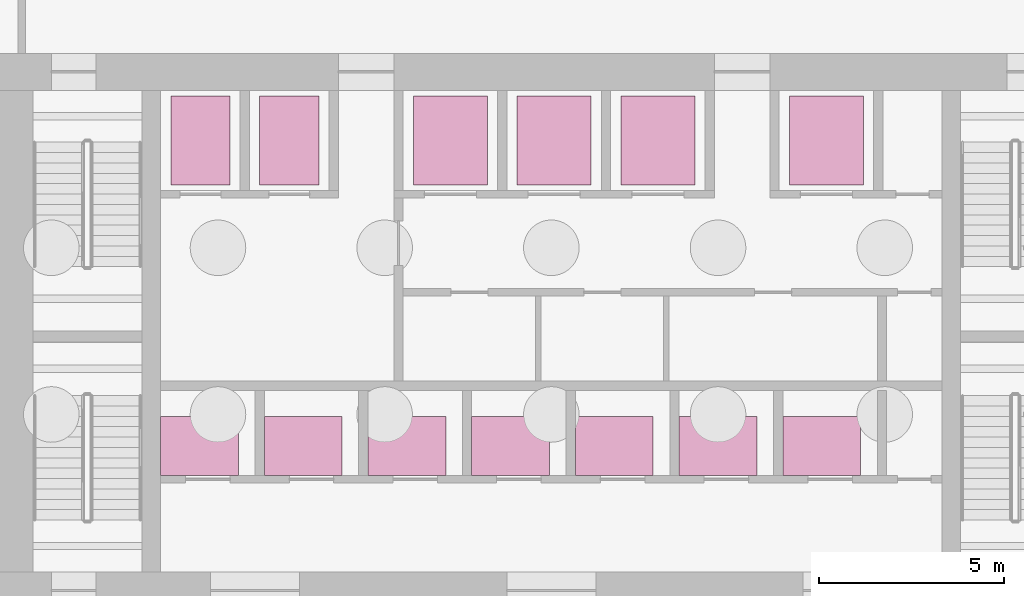
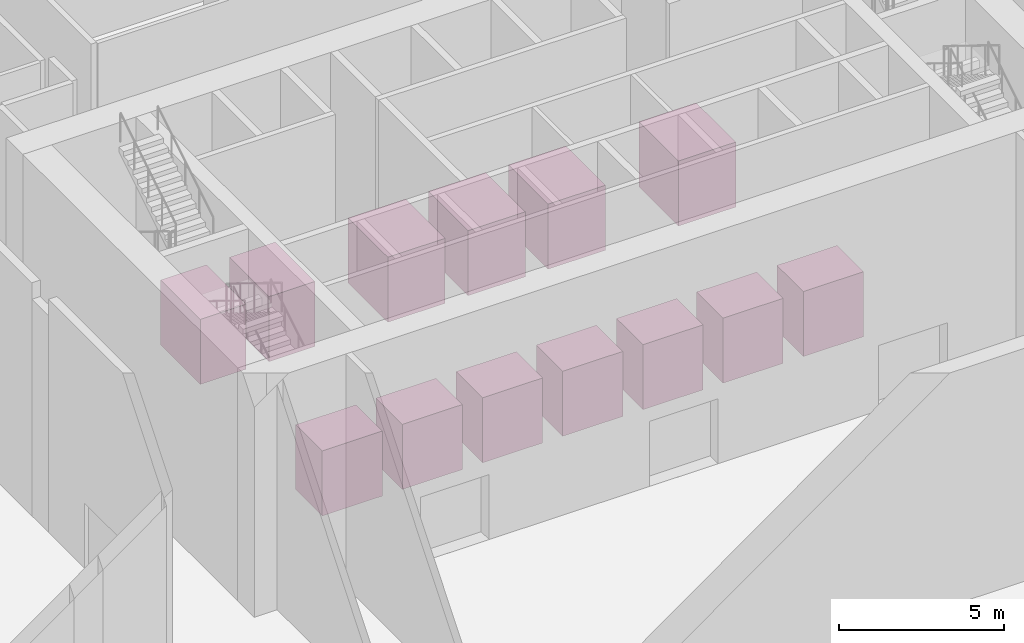
# One storey, part 31 of 32: 13 transport elements.
"""IFC4 building model written with IfcOpenShell, lengths in metres."""

from ifc_helpers import new_model, si_unit, direction, frame, origin, origin_2d, place, context, subcontext, project, spatial, rectangle, extrude, material, type_object, element, save


model = new_model("IFC4")

# Units and contexts
model_context = context("Model", 3, precision=1e-05, world=origin(), true_north=direction((0.0, 1.0)))
body_context = subcontext(model_context, "Body", "Model", "MODEL_VIEW")
ifc_project = project(units=[si_unit("LENGTHUNIT", "METRE"), si_unit("AREAUNIT", "SQUARE_METRE"), si_unit("VOLUMEUNIT", "CUBIC_METRE"), si_unit("PLANEANGLEUNIT", "RADIAN"), si_unit("MASSUNIT", "GRAM", prefix="KILO")], contexts=[model_context])

# Site, building, storey
site_placement = place(None, origin())
site = spatial("IfcSite", under=ifc_project, at=site_placement, CompositionType="ELEMENT")
building_placement = place(site_placement, origin())
building = spatial("IfcBuilding", under=site, at=building_placement, Name="Isthmus Gate Tower", CompositionType="ELEMENT")
storey_placement = place(building_placement, origin())
storey = spatial("IfcBuildingStorey", under=building, at=storey_placement, Name="L00", CompositionType="ELEMENT", Elevation=0.0)

# Transport elements
ifc_material_1 = material(Name="Stainless steel and laminated glass car", Category="steel")
transport_element_type_1 = type_object("IfcTransportElementType", Name="LIFT CAR 1600 X 2400 1800 KG", PredefinedType="ELEVATOR", material=ifc_material_1)
for number, where, z_axis, x_axis, name in (
    (1, (-9.47509765625, 12.64990234375, 0.0), (0.0, 0.0, 1.0), (1.0, 0.0, 0.0), "Lift LF1"),
    (2, (-7.074951171875, 12.64990234375, 0.0), (0.0, 0.0, 1.0), (1.0, 0.0, 0.0), "Lift LF2"),
):
    element("IfcTransportElement", number, at=place(storey_placement, frame(where, z_axis=z_axis, x_axis=x_axis)), inside=storey, type_object=transport_element_type_1, Name=name, PredefinedType="ELEVATOR", context=body_context, shape_type="SweptSolid", body=[
        extrude(rectangle(XDim=1.60009765625, YDim=2.39990234375, at=origin_2d()), origin(), (0.0, 0.0, 1.0), 2.39990234375),
    ])
ifc_material_2 = material(Name="Stainless steel and laminated glass car", Category="steel")
transport_element_type_2 = type_object("IfcTransportElementType", Name="LIFT CAR 2000 X 2400 2500 KG", PredefinedType="ELEVATOR", material=ifc_material_2)
for number, where, z_axis, x_axis, name in (
    (3, (2.875, 12.64990234375, 0.0), (0.0, 0.0, 1.0), (1.0, 0.0, 0.0), "Lift LS1"),
    (4, (7.425048828125, 12.64990234375, 0.0), (0.0, 0.0, 1.0), (1.0, 0.0, 0.0), "Lift LS2"),
    (5, (-2.72509765625, 12.64990234375, 0.0), (0.0, 0.0, 1.0), (1.0, 0.0, 0.0), "Lift LV1"),
    (6, (0.074951171875, 12.64990234375, 0.0), (0.0, 0.0, 1.0), (1.0, 0.0, 0.0), "Lift LV2"),
):
    element("IfcTransportElement", number, at=place(storey_placement, frame(where, z_axis=z_axis, x_axis=x_axis)), inside=storey, type_object=transport_element_type_2, Name=name, PredefinedType="ELEVATOR", context=body_context, shape_type="SweptSolid", body=[
        extrude(rectangle(XDim=2.0, YDim=2.39990234375, at=origin_2d()), origin(), (0.0, 0.0, 1.0), 2.39990234375),
    ])
ifc_material_3 = material(Name="Stainless steel and laminated glass car", Category="steel")
transport_element_type_3 = type_object("IfcTransportElementType", Name="LIFT CAR 2100 X 1600 1800 KG", PredefinedType="ELEVATOR", material=ifc_material_3)
for number, where, z_axis, x_axis, name in (
    (7, (-9.5, 4.39990234375, 0.0), (0.0, 0.0, 1.0), (1.0, 0.0, 0.0), "Lift LA1"),
    (8, (-6.699951171875, 4.39990234375, 0.0), (0.0, 0.0, 1.0), (1.0, 0.0, 0.0), "Lift LA2"),
    (9, (-3.89990234375, 4.39990234375, 0.0), (0.0, 0.0, 1.0), (1.0, 0.0, 0.0), "Lift LA3"),
    (10, (-1.10009765625, 4.39990234375, 0.0), (0.0, 0.0, 1.0), (1.0, 0.0, 0.0), "Lift LA4"),
    (11, (1.699951171875, 4.39990234375, 0.0), (0.0, 0.0, 1.0), (1.0, 0.0, 0.0), "Lift LA5"),
    (12, (4.5, 4.39990234375, 0.0), (0.0, 0.0, 1.0), (1.0, 0.0, 0.0), "Lift LA6"),
    (13, (7.300048828125, 4.39990234375, 0.0), (0.0, 0.0, 1.0), (1.0, 0.0, 0.0), "Lift LA7"),
):
    element("IfcTransportElement", number, at=place(storey_placement, frame(where, z_axis=z_axis, x_axis=x_axis)), inside=storey, type_object=transport_element_type_3, Name=name, PredefinedType="ELEVATOR", context=body_context, shape_type="SweptSolid", body=[
        extrude(rectangle(XDim=2.10009765625, YDim=1.60009765625, at=origin_2d()), origin(), (0.0, 0.0, 1.0), 2.39990234375),
    ])

save(model, "model.ifc")
